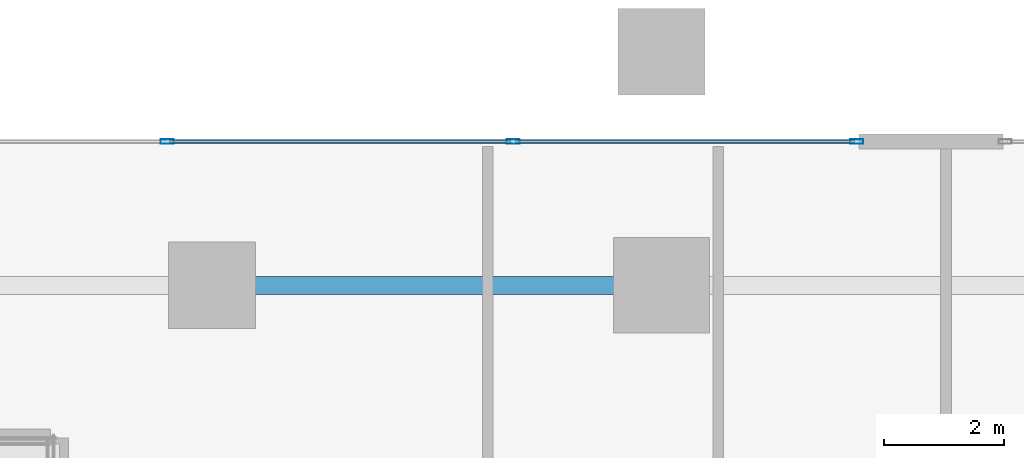
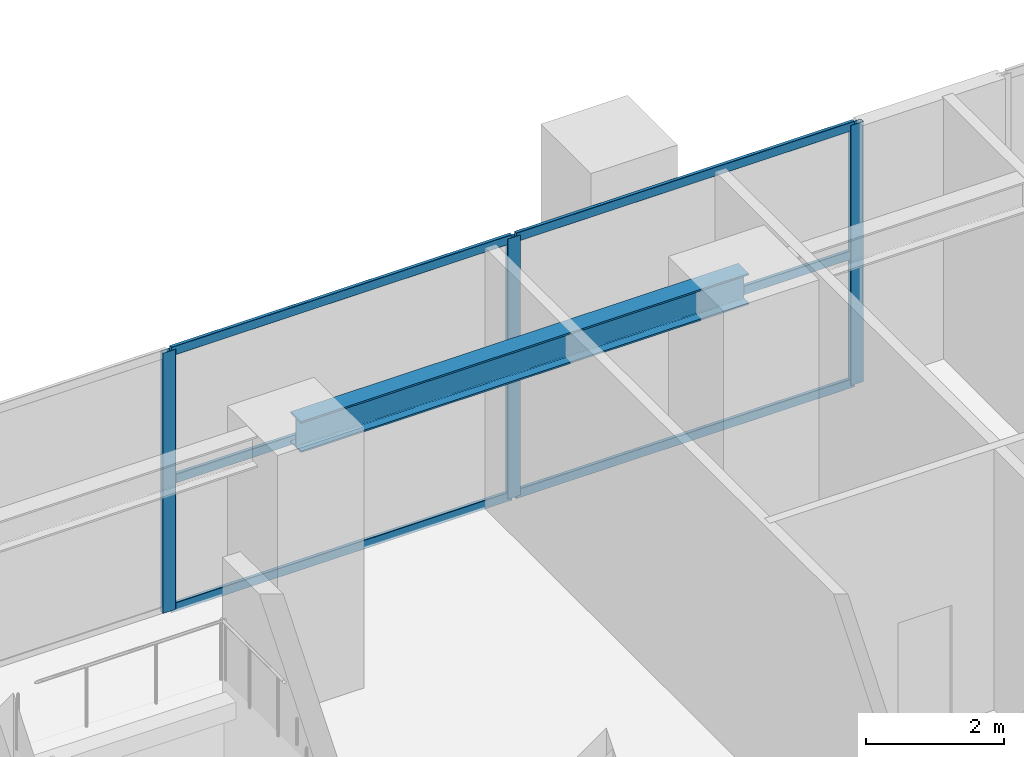
# One storey, part 8 of 20: 9 members, 1 beam, 1 element without a shape of its own.
"""IFC4 building model written with IfcOpenShell, lengths in metres."""

import ifcopenshell
import ifcopenshell.guid

model = None  # the IFC model being written
_history = None  # IfcOwnerHistory: only IFC2X3 demands one
_inside = {}  # id of a spatial element -> (the spatial element, [elements in it])
_under = {}  # id of a project, library or spatial element -> (it, [spatial elements below it])
_declared = {}  # id of a project -> (the project, [libraries it declares])
_typed = {}  # id of a type object -> (the type object, [elements of that type])
_made_of = {}  # id of a material, layer set ... -> (it, [elements and type objects made of it])


def new_model(schema):
    """Start an empty IFC model of exactly this schema.

    Asked for "IFC4X3", IfcOpenShell would pick the latest addendum, in which some entities
    have other attributes; the version numbers below select the first issue.
    IFC2X3 requires an IfcOwnerHistory on every rooted entity: one is made here for all.
    """
    global model, _history
    if schema == "IFC4X3":
        model = ifcopenshell.file(schema_version=(4, 3, 0, 0))
    else:
        model = ifcopenshell.file(schema=schema)
    _inside.clear()
    _under.clear()
    _declared.clear()
    _typed.clear()
    _made_of.clear()
    _history = None
    if model.schema == "IFC2X3":
        org = make("IfcOrganization", Name="unknown")
        user = make(
            "IfcPersonAndOrganization",
            ThePerson=make("IfcPerson", FamilyName="unknown"),
            TheOrganization=org,
        )
        app = make(
            "IfcApplication",
            ApplicationDeveloper=org,
            Version="unknown",
            ApplicationFullName="unknown",
            ApplicationIdentifier="unknown",
        )
        _history = make(
            "IfcOwnerHistory",
            OwningUser=user,
            OwningApplication=app,
            ChangeAction="ADDED",
            CreationDate=0,
        )
    return model


def make(cls, **values):
    """One entity of the class cls with the attributes given. An attribute that is None is left unset."""
    return model.create_entity(
        cls, **{name: value for name, value in values.items() if value is not None}
    )


def rooted(cls, **values):
    """An entity with a GlobalId (a new one), such as an element, a storey or a relation."""
    return make(cls, GlobalId=ifcopenshell.guid.new(), OwnerHistory=_history, **values)


def si_unit(unit_type, name, prefix=None):
    """IfcSIUnit, for example si_unit("LENGTHUNIT", "METRE", prefix="MILLI")."""
    return make("IfcSIUnit", UnitType=unit_type, Prefix=prefix, Name=name)


def assignment(units):
    """IfcUnitAssignment: the units of a project."""
    return None if units is None else make("IfcUnitAssignment", Units=units)


def point(xyz):
    """IfcCartesianPoint."""
    return None if xyz is None else make("IfcCartesianPoint", Coordinates=xyz)


def direction(xyz):
    """IfcDirection."""
    return None if xyz is None else make("IfcDirection", DirectionRatios=xyz)


def frame(location, z_axis=None, x_axis=None):
    """IfcAxis2Placement3D, a coordinate frame: its origin and axes. An axis left out is left unset."""
    return make(
        "IfcAxis2Placement3D",
        Location=point(location),
        Axis=direction(z_axis),
        RefDirection=direction(x_axis),
    )


def frame_2d(location, x_axis=None):
    """IfcAxis2Placement2D, a coordinate frame in the plane: its origin and x axis."""
    return make(
        "IfcAxis2Placement2D", Location=point(location), RefDirection=direction(x_axis)
    )


def origin():
    """The frame at (0, 0, 0) with its axes left unset."""
    return frame((0.0, 0.0, 0.0))


def origin_2d():
    """The frame at (0, 0) in the plane with its x axis left unset."""
    return frame_2d((0.0, 0.0))


def place(relative_to, where):
    """IfcLocalPlacement: puts the frame where relative to a parent placement (None: the world)."""
    return make(
        "IfcLocalPlacement", PlacementRelTo=relative_to, RelativePlacement=where
    )


def context(
    kind, dimensions, precision=None, world=None, true_north=None, identifier=None
):
    """IfcGeometricRepresentationContext, for example the 3D "Model" context."""
    return make(
        "IfcGeometricRepresentationContext",
        ContextIdentifier=identifier,
        ContextType=kind,
        CoordinateSpaceDimension=dimensions,
        Precision=precision,
        WorldCoordinateSystem=world,
        TrueNorth=true_north,
    )


def subcontext(parent, identifier, kind, view, scale=None):
    """IfcGeometricRepresentationSubContext, for example "Body" below "Model"."""
    return make(
        "IfcGeometricRepresentationSubContext",
        ContextIdentifier=identifier,
        ContextType=kind,
        ParentContext=parent,
        TargetScale=scale,
        TargetView=view,
    )


def project(units=None, contexts=None):
    """IfcProject with its units and contexts."""
    return rooted(
        "IfcProject",
        Name="project",
        RepresentationContexts=contexts,
        UnitsInContext=assignment(units),
    )


def spatial(cls, under=None, at=None, **own):
    """A site, building, storey or space (cls), placed at a placement, below another one or the project."""
    s = rooted(cls, ObjectPlacement=at, **own)
    if under is not None:
        _under.setdefault(under.id(), (under, []))[1].append(s)
    return s


def profile(cls, at=None, kind="AREA", **sizes):
    """A parametric profile (cls). Its sizes go by their IFC names, for example OverallWidth=200.0."""
    return make(cls, ProfileType=kind, Position=at, **sizes)


def hollow_rectangle(**sizes):
    """IfcRectangleHollowProfileDef."""
    return profile("IfcRectangleHollowProfileDef", **sizes)


def i_section(**sizes):
    """IfcIShapeProfileDef."""
    return profile("IfcIShapeProfileDef", **sizes)


def extrude(swept, where, along, depth):
    """IfcExtrudedAreaSolid: the profile swept, set in the frame where, extruded along a direction by depth."""
    return make(
        "IfcExtrudedAreaSolid",
        SweptArea=swept,
        Position=where,
        ExtrudedDirection=direction(along),
        Depth=depth,
    )


def shape(context_of_items, identifier, shape_type, items):
    """IfcShapeRepresentation: the items that make up one representation, for example the "Body"."""
    return make(
        "IfcShapeRepresentation",
        ContextOfItems=context_of_items,
        RepresentationIdentifier=identifier,
        RepresentationType=shape_type,
        Items=items,
    )


def source(mapping_origin, context_of_items, identifier, shape_type, items):
    """IfcRepresentationMap: a shape defined once, which mapped items show again and again."""
    return make(
        "IfcRepresentationMap",
        MappingOrigin=mapping_origin,
        MappedRepresentation=shape(context_of_items, identifier, shape_type, items),
    )


def transform(
    local_origin,
    x_axis=None,
    y_axis=None,
    z_axis=None,
    scale=None,
    scale2=None,
    scale3=None,
    uniform=True,
):
    """IfcCartesianTransformationOperator3D, or its non-uniform kind. x_axis, y_axis, z_axis: its Axis1, 2, 3."""
    if uniform:
        return make(
            "IfcCartesianTransformationOperator3D",
            Axis1=direction(x_axis),
            Axis2=direction(y_axis),
            LocalOrigin=point(local_origin),
            Scale=scale,
            Axis3=direction(z_axis),
        )
    return make(
        "IfcCartesianTransformationOperator3DnonUniform",
        Axis1=direction(x_axis),
        Axis2=direction(y_axis),
        LocalOrigin=point(local_origin),
        Scale=scale,
        Axis3=direction(z_axis),
        Scale2=scale2,
        Scale3=scale3,
    )


def mapped(mapping_source, mapping_target):
    """IfcMappedItem: shows the shape of a source again, moved by a transform."""
    return make(
        "IfcMappedItem", MappingSource=mapping_source, MappingTarget=mapping_target
    )


def material(Name=None, Category=None):
    """IfcMaterial."""
    return make("IfcMaterial", Name=Name, Category=Category)


def layer(
    of_material, thickness, ventilated=None, Name=None, Category=None, Priority=None
):
    """IfcMaterialLayer: one layer of a wall or slab, of a material (None: an air gap)."""
    return make(
        "IfcMaterialLayer",
        Material=of_material,
        LayerThickness=thickness,
        IsVentilated=ventilated,
        Name=Name,
        Category=Category,
        Priority=Priority,
    )


def layer_set(layers, Name=None):
    """IfcMaterialLayerSet."""
    return make("IfcMaterialLayerSet", MaterialLayers=layers, LayerSetName=Name)


def material_profile(
    of_material, cross_section, Name=None, Category=None, Priority=None
):
    """IfcMaterialProfile: a cross section and its material."""
    return make(
        "IfcMaterialProfile",
        Name=Name,
        Material=of_material,
        Profile=cross_section,
        Priority=Priority,
        Category=Category,
    )


def profile_set(profiles, Name=None, composite=None):
    """IfcMaterialProfileSet."""
    return make(
        "IfcMaterialProfileSet",
        Name=Name,
        MaterialProfiles=profiles,
        CompositeProfile=composite,
    )


def made_of(thing, what):
    """Note that an element or type object is made of a material, layer set ...; save() writes the relation."""
    if what is not None:
        _made_of.setdefault(what.id(), (what, []))[1].append(thing)
    return thing


def type_object(cls, material=None, **own):
    """A type object (cls), such as IfcWallType, which elements share."""
    return made_of(rooted(cls, **own), material)


def element(
    cls,
    number,
    at=None,
    inside=None,
    cuts=None,
    type_object=None,
    material=None,
    context=None,
    identifier="Body",
    shape_type=None,
    held_by="IfcProductDefinitionShape",
    body=None,
    shapes=None,
    **own,
):
    """One element of the class cls, such as IfcWall. Its Tag is "e" and its number.

    at: its placement. inside: the storey or other place that contains it. cuts: it is an
    opening in that element (IfcRelVoidsElement). A single representation is given by context,
    identifier, shape_type and body (its items); several are given by shapes. held_by: the class
    of the entity that holds the representations. save() writes the other relations.
    """
    e = rooted(cls, Tag="e%d" % number, ObjectPlacement=at, **own)
    if body is not None:
        shapes = [shape(context, identifier, shape_type, body)]
    if shapes is not None:
        e.Representation = make(held_by, Representations=shapes)
    if inside is not None:
        _inside.setdefault(inside.id(), (inside, []))[1].append(e)
    if cuts is not None:
        rooted(
            "IfcRelVoidsElement", RelatingBuildingElement=cuts, RelatedOpeningElement=e
        )
    if type_object is not None:
        _typed.setdefault(type_object.id(), (type_object, []))[1].append(e)
    return made_of(e, material)


def aggregate(whole, parts):
    """IfcRelAggregates: a whole, such as a stair, and the parts it consists of."""
    return rooted("IfcRelAggregates", RelatingObject=whole, RelatedObjects=parts)


def save(model, path):
    """Write the relations noted so far, then the file.

    IfcRelAggregates (storeys below a building ...), IfcRelContainedInSpatialStructure (elements
    in a storey), IfcRelDefinesByType, IfcRelAssociatesMaterial and IfcRelDeclares: one each for
    every whole, place, type object, material and project.
    """
    for whole, parts in _under.values():
        aggregate(whole, parts)
    for where, things in _inside.values():
        rooted(
            "IfcRelContainedInSpatialStructure",
            RelatedElements=things,
            RelatingStructure=where,
        )
    for kind, things in _typed.values():
        rooted("IfcRelDefinesByType", RelatedObjects=things, RelatingType=kind)
    for what, things in _made_of.values():
        rooted("IfcRelAssociatesMaterial", RelatedObjects=things, RelatingMaterial=what)
    for by, libraries in _declared.values():
        rooted("IfcRelDeclares", RelatingContext=by, RelatedDefinitions=libraries)
    model.write(path)


model = new_model("IFC4")

# Units and contexts
model_context = context("Model", 3, precision=1e-05, world=origin(), true_north=direction((0.0, 1.0)))
body_context = subcontext(model_context, "Body", "Model", "MODEL_VIEW")
ifc_project = project(units=[si_unit("LENGTHUNIT", "METRE"), si_unit("AREAUNIT", "SQUARE_METRE"), si_unit("VOLUMEUNIT", "CUBIC_METRE"), si_unit("PLANEANGLEUNIT", "RADIAN"), si_unit("MASSUNIT", "GRAM", prefix="KILO")], contexts=[model_context])

# Site, building, storey
site_placement = place(None, origin())
site = spatial("IfcSite", under=ifc_project, at=site_placement, CompositionType="ELEMENT")
building_placement = place(site_placement, origin())
building = spatial("IfcBuilding", under=site, at=building_placement, Name="Serunith Strait Residences", CompositionType="ELEMENT")
storey_placement = place(building_placement, frame((0.0, 0.0, 5.5)))
storey = spatial("IfcBuildingStorey", under=building, at=storey_placement, Name="L01", CompositionType="ELEMENT", Elevation=5.5)

# Beam
ifc_material_1 = material(Name="Steel S355J2", Category="steel")
ifc_material_profile_1 = material_profile(ifc_material_1, i_section(OverallWidth=0.300048828125, OverallDepth=0.550048828125, WebThickness=0.014892578125, FlangeThickness=0.029052734375, FilletRadius=0.027099609375, at=origin_2d()), Name="HEB 550")
ifc_profile_set_1 = profile_set([ifc_material_profile_1], Name="Steel S355J2")
beam_type = type_object("IfcBeamType", Name="BM-HEB550", PredefinedType="BEAM", material=ifc_profile_set_1)
shared_shape_1 = source(origin(), body_context, "Body", "SweptSolid", [
    extrude(i_section(OverallWidth=0.300048828125, OverallDepth=0.550048828125, WebThickness=0.014892578125, FlangeThickness=0.029052734375, FilletRadius=0.027099609375, at=origin_2d()), origin(), (0.0, 0.0, 1.0), 7.5),
])
beam_placement = place(storey_placement, frame((20.39990234375, 45.60009765625, 4.342041015625), z_axis=(1.0, 0.0, 0.0), x_axis=(0.0, 1.0, 0.0)))
element("IfcBeam", 1, at=beam_placement, inside=storey, type_object=beam_type, Name="BM-L01-07", PredefinedType="BEAM", context=body_context, shape_type="MappedRepresentation", body=[
    mapped(shared_shape_1, transform((0.0, 0.0, 0.0), scale=1.0)),
])

# Curtain wall, members
ifc_material_2 = material(Name="Pale-Champagne Anodised Aluminium", Category="aluminium")
ifc_layer = layer(ifc_material_2, 0.199951171875, Name="Pale-Champagne Anodised Aluminium")
ifc_layer_set = layer_set([ifc_layer], Name="Pale-Champagne Anodised Aluminium")
curtain_wall_type = type_object("IfcCurtainWallType", Name="CW-SYS6", PredefinedType="NOTDEFINED", material=ifc_layer_set)
curtain_wall_placement = place(storey_placement, origin())
curtain_wall = element("IfcCurtainWall", 2, at=curtain_wall_placement, inside=storey, type_object=curtain_wall_type, Name="L01 Podium Galleria Curtain Wall 9B", PredefinedType="NOTDEFINED")
ifc_material_profile_2 = material_profile(ifc_material_2, hollow_rectangle(XDim=0.074951171875, YDim=0.219970703125, WallThickness=0.00390625, InnerFilletRadius=0.006103515625, OuterFilletRadius=0.010009765625, at=origin_2d()), Name="ALU 220x75x4")
ifc_profile_set_2 = profile_set([ifc_material_profile_2], Name="Pale-Champagne Anodised Aluminium")
member_type_1 = type_object("IfcMemberType", Name="CW-SYS6-MULL", PredefinedType="MULLION", material=ifc_profile_set_2)
shared_shape_2 = source(origin(), body_context, "Body", "SweptSolid", [
    extrude(hollow_rectangle(XDim=0.074951171875, YDim=0.219970703125, WallThickness=0.00390625, InnerFilletRadius=0.006103515625, OuterFilletRadius=0.010009765625, at=origin_2d()), origin(), (0.0, 0.0, 1.0), 4.60498046875),
])
member_1_placement = place(storey_placement, frame((31.16259765625, 48.0, 0.0), z_axis=(0.0, 0.0, 1.0), x_axis=(0.0, -1.0, 0.0)))
member_1 = element("IfcMember", 3, at=member_1_placement, type_object=member_type_1, Name="CW-6 mullion 1", PredefinedType="MULLION", context=body_context, shape_type="MappedRepresentation", body=[
    mapped(shared_shape_2, transform((0.0, 0.0, 0.0), scale=1.0)),
])
member_2_placement = place(storey_placement, frame((25.425048828125, 48.0, 0.0), z_axis=(0.0, 0.0, 1.0), x_axis=(0.0, -1.0, 0.0)))
member_2 = element("IfcMember", 4, at=member_2_placement, type_object=member_type_1, Name="CW-6 mullion 2", PredefinedType="MULLION", context=body_context, shape_type="MappedRepresentation", body=[
    mapped(shared_shape_2, transform((0.0, 0.0, 0.0), scale=1.0)),
])
member_3_placement = place(storey_placement, frame((19.64990234375, 48.0, 0.0), z_axis=(0.0, 0.0, 1.0), x_axis=(0.0, -1.0, 0.0)))
member_3 = element("IfcMember", 5, at=member_3_placement, type_object=member_type_1, Name="CW-6 mullion 3", PredefinedType="MULLION", context=body_context, shape_type="MappedRepresentation", body=[
    mapped(shared_shape_2, transform((0.0, 0.0, 0.0), scale=1.0)),
])
ifc_material_profile_3 = material_profile(ifc_material_2, hollow_rectangle(XDim=0.06005859375, YDim=0.159912109375, WallThickness=0.00341796875, InnerFilletRadius=0.00537109375, OuterFilletRadius=0.0087890625, at=origin_2d()), Name="ALU 160x60x3.5")
ifc_profile_set_3 = profile_set([ifc_material_profile_3], Name="Pale-Champagne Anodised Aluminium")
member_type_2 = type_object("IfcMemberType", Name="CW-SYS6-TRAN", PredefinedType="USERDEFINED", material=ifc_profile_set_3)
shared_shape_3 = source(origin(), body_context, "Body", "SweptSolid", [
    extrude(hollow_rectangle(XDim=0.06005859375, YDim=0.159912109375, WallThickness=0.00341796875, InnerFilletRadius=0.00537109375, OuterFilletRadius=0.0087890625, at=origin_2d()), origin(), (0.0, 0.0, 1.0), 5.66259765625),
])
member_4_placement = place(storey_placement, frame((31.125, 48.0, 0.030029296875), z_axis=(-1.0, 0.0, 0.0), x_axis=(0.0, -1.0, 0.0)))
member_4 = element("IfcMember", 6, at=member_4_placement, type_object=member_type_2, Name="CW-6 transom 1.1", ObjectType="TRANSOM", PredefinedType="USERDEFINED", context=body_context, shape_type="MappedRepresentation", body=[
    mapped(shared_shape_3, transform((0.0, 0.0, 0.0), scale=1.0)),
])
member_5_placement = place(storey_placement, frame((31.125, 48.0, 2.302490234375), z_axis=(-1.0, 0.0, 0.0), x_axis=(0.0, -1.0, 0.0)))
member_5 = element("IfcMember", 7, at=member_5_placement, type_object=member_type_2, Name="CW-6 transom 1.2", ObjectType="TRANSOM", PredefinedType="USERDEFINED", context=body_context, shape_type="MappedRepresentation", body=[
    mapped(shared_shape_3, transform((0.0, 0.0, 0.0), scale=1.0)),
])
member_6_placement = place(storey_placement, frame((31.125, 48.0, 4.574951171875), z_axis=(-1.0, 0.0, 0.0), x_axis=(0.0, -1.0, 0.0)))
member_6 = element("IfcMember", 8, at=member_6_placement, type_object=member_type_2, Name="CW-6 transom 1.3", ObjectType="TRANSOM", PredefinedType="USERDEFINED", context=body_context, shape_type="MappedRepresentation", body=[
    mapped(shared_shape_3, transform((0.0, 0.0, 0.0), scale=1.0)),
])
shared_shape_4 = source(origin(), body_context, "Body", "SweptSolid", [
    extrude(hollow_rectangle(XDim=0.06005859375, YDim=0.159912109375, WallThickness=0.00341796875, InnerFilletRadius=0.00537109375, OuterFilletRadius=0.0087890625, at=origin_2d()), origin(), (0.0, 0.0, 1.0), 5.699951171875),
])
member_7_placement = place(storey_placement, frame((25.387451171875, 48.0, 0.030029296875), z_axis=(-1.0, 0.0, 0.0), x_axis=(0.0, -1.0, 0.0)))
member_7 = element("IfcMember", 9, at=member_7_placement, type_object=member_type_2, Name="CW-6 transom 2.1", ObjectType="TRANSOM", PredefinedType="USERDEFINED", context=body_context, shape_type="MappedRepresentation", body=[
    mapped(shared_shape_4, transform((0.0, 0.0, 0.0), scale=1.0)),
])
member_8_placement = place(storey_placement, frame((25.387451171875, 48.0, 2.302490234375), z_axis=(-1.0, 0.0, 0.0), x_axis=(0.0, -1.0, 0.0)))
member_8 = element("IfcMember", 10, at=member_8_placement, type_object=member_type_2, Name="CW-6 transom 2.2", ObjectType="TRANSOM", PredefinedType="USERDEFINED", context=body_context, shape_type="MappedRepresentation", body=[
    mapped(shared_shape_4, transform((0.0, 0.0, 0.0), scale=1.0)),
])
member_9_placement = place(storey_placement, frame((25.387451171875, 48.0, 4.574951171875), z_axis=(-1.0, 0.0, 0.0), x_axis=(0.0, -1.0, 0.0)))
member_9 = element("IfcMember", 11, at=member_9_placement, type_object=member_type_2, Name="CW-6 transom 2.3", ObjectType="TRANSOM", PredefinedType="USERDEFINED", context=body_context, shape_type="MappedRepresentation", body=[
    mapped(shared_shape_4, transform((0.0, 0.0, 0.0), scale=1.0)),
])
aggregate(curtain_wall, [member_1, member_2, member_3, member_4, member_5, member_6, member_7, member_8, member_9])

save(model, "model.ifc")
